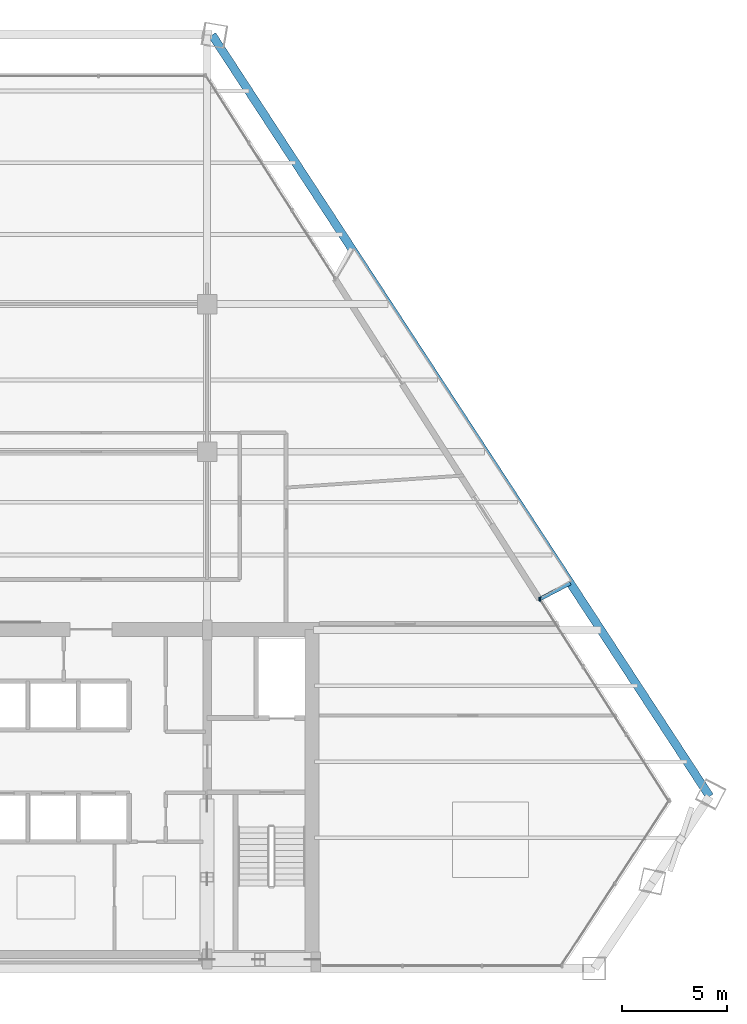
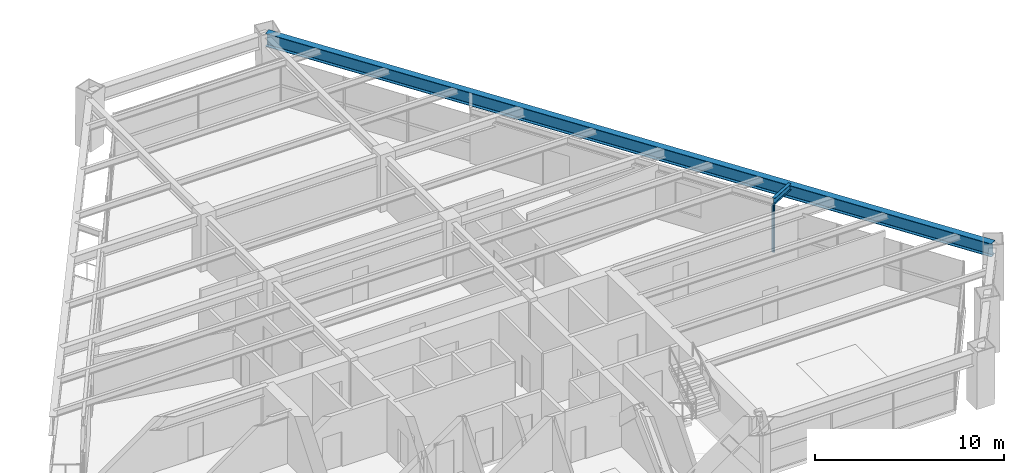
# One storey, part 7 of 14: 2 beams, 2 members, 1 element without a shape of its own.
"""IFC4 building model written with IfcOpenShell, lengths in metres."""

import ifcopenshell
import ifcopenshell.guid

model = None  # the IFC model being written
_history = None  # IfcOwnerHistory: only IFC2X3 demands one
_inside = {}  # id of a spatial element -> (the spatial element, [elements in it])
_under = {}  # id of a project, library or spatial element -> (it, [spatial elements below it])
_declared = {}  # id of a project -> (the project, [libraries it declares])
_typed = {}  # id of a type object -> (the type object, [elements of that type])
_made_of = {}  # id of a material, layer set ... -> (it, [elements and type objects made of it])


def new_model(schema):
    """Start an empty IFC model of exactly this schema.

    Asked for "IFC4X3", IfcOpenShell would pick the latest addendum, in which some entities
    have other attributes; the version numbers below select the first issue.
    IFC2X3 requires an IfcOwnerHistory on every rooted entity: one is made here for all.
    """
    global model, _history
    if schema == "IFC4X3":
        model = ifcopenshell.file(schema_version=(4, 3, 0, 0))
    else:
        model = ifcopenshell.file(schema=schema)
    _inside.clear()
    _under.clear()
    _declared.clear()
    _typed.clear()
    _made_of.clear()
    _history = None
    if model.schema == "IFC2X3":
        org = make("IfcOrganization", Name="unknown")
        user = make(
            "IfcPersonAndOrganization",
            ThePerson=make("IfcPerson", FamilyName="unknown"),
            TheOrganization=org,
        )
        app = make(
            "IfcApplication",
            ApplicationDeveloper=org,
            Version="unknown",
            ApplicationFullName="unknown",
            ApplicationIdentifier="unknown",
        )
        _history = make(
            "IfcOwnerHistory",
            OwningUser=user,
            OwningApplication=app,
            ChangeAction="ADDED",
            CreationDate=0,
        )
    return model


def make(cls, **values):
    """One entity of the class cls with the attributes given. An attribute that is None is left unset."""
    return model.create_entity(
        cls, **{name: value for name, value in values.items() if value is not None}
    )


def rooted(cls, **values):
    """An entity with a GlobalId (a new one), such as an element, a storey or a relation."""
    return make(cls, GlobalId=ifcopenshell.guid.new(), OwnerHistory=_history, **values)


def si_unit(unit_type, name, prefix=None):
    """IfcSIUnit, for example si_unit("LENGTHUNIT", "METRE", prefix="MILLI")."""
    return make("IfcSIUnit", UnitType=unit_type, Prefix=prefix, Name=name)


def assignment(units):
    """IfcUnitAssignment: the units of a project."""
    return None if units is None else make("IfcUnitAssignment", Units=units)


def point(xyz):
    """IfcCartesianPoint."""
    return None if xyz is None else make("IfcCartesianPoint", Coordinates=xyz)


def direction(xyz):
    """IfcDirection."""
    return None if xyz is None else make("IfcDirection", DirectionRatios=xyz)


def frame(location, z_axis=None, x_axis=None):
    """IfcAxis2Placement3D, a coordinate frame: its origin and axes. An axis left out is left unset."""
    return make(
        "IfcAxis2Placement3D",
        Location=point(location),
        Axis=direction(z_axis),
        RefDirection=direction(x_axis),
    )


def frame_2d(location, x_axis=None):
    """IfcAxis2Placement2D, a coordinate frame in the plane: its origin and x axis."""
    return make(
        "IfcAxis2Placement2D", Location=point(location), RefDirection=direction(x_axis)
    )


def origin():
    """The frame at (0, 0, 0) with its axes left unset."""
    return frame((0.0, 0.0, 0.0))


def origin_2d():
    """The frame at (0, 0) in the plane with its x axis left unset."""
    return frame_2d((0.0, 0.0))


def place(relative_to, where):
    """IfcLocalPlacement: puts the frame where relative to a parent placement (None: the world)."""
    return make(
        "IfcLocalPlacement", PlacementRelTo=relative_to, RelativePlacement=where
    )


def context(
    kind, dimensions, precision=None, world=None, true_north=None, identifier=None
):
    """IfcGeometricRepresentationContext, for example the 3D "Model" context."""
    return make(
        "IfcGeometricRepresentationContext",
        ContextIdentifier=identifier,
        ContextType=kind,
        CoordinateSpaceDimension=dimensions,
        Precision=precision,
        WorldCoordinateSystem=world,
        TrueNorth=true_north,
    )


def subcontext(parent, identifier, kind, view, scale=None):
    """IfcGeometricRepresentationSubContext, for example "Body" below "Model"."""
    return make(
        "IfcGeometricRepresentationSubContext",
        ContextIdentifier=identifier,
        ContextType=kind,
        ParentContext=parent,
        TargetScale=scale,
        TargetView=view,
    )


def project(units=None, contexts=None):
    """IfcProject with its units and contexts."""
    return rooted(
        "IfcProject",
        Name="project",
        RepresentationContexts=contexts,
        UnitsInContext=assignment(units),
    )


def spatial(cls, under=None, at=None, **own):
    """A site, building, storey or space (cls), placed at a placement, below another one or the project."""
    s = rooted(cls, ObjectPlacement=at, **own)
    if under is not None:
        _under.setdefault(under.id(), (under, []))[1].append(s)
    return s


def profile(cls, at=None, kind="AREA", **sizes):
    """A parametric profile (cls). Its sizes go by their IFC names, for example OverallWidth=200.0."""
    return make(cls, ProfileType=kind, Position=at, **sizes)


def rectangle(**sizes):
    """IfcRectangleProfileDef."""
    return profile("IfcRectangleProfileDef", **sizes)


def i_section(**sizes):
    """IfcIShapeProfileDef."""
    return profile("IfcIShapeProfileDef", **sizes)


def extrude(swept, where, along, depth):
    """IfcExtrudedAreaSolid: the profile swept, set in the frame where, extruded along a direction by depth."""
    return make(
        "IfcExtrudedAreaSolid",
        SweptArea=swept,
        Position=where,
        ExtrudedDirection=direction(along),
        Depth=depth,
    )


def shape(context_of_items, identifier, shape_type, items):
    """IfcShapeRepresentation: the items that make up one representation, for example the "Body"."""
    return make(
        "IfcShapeRepresentation",
        ContextOfItems=context_of_items,
        RepresentationIdentifier=identifier,
        RepresentationType=shape_type,
        Items=items,
    )


def source(mapping_origin, context_of_items, identifier, shape_type, items):
    """IfcRepresentationMap: a shape defined once, which mapped items show again and again."""
    return make(
        "IfcRepresentationMap",
        MappingOrigin=mapping_origin,
        MappedRepresentation=shape(context_of_items, identifier, shape_type, items),
    )


def transform(
    local_origin,
    x_axis=None,
    y_axis=None,
    z_axis=None,
    scale=None,
    scale2=None,
    scale3=None,
    uniform=True,
):
    """IfcCartesianTransformationOperator3D, or its non-uniform kind. x_axis, y_axis, z_axis: its Axis1, 2, 3."""
    if uniform:
        return make(
            "IfcCartesianTransformationOperator3D",
            Axis1=direction(x_axis),
            Axis2=direction(y_axis),
            LocalOrigin=point(local_origin),
            Scale=scale,
            Axis3=direction(z_axis),
        )
    return make(
        "IfcCartesianTransformationOperator3DnonUniform",
        Axis1=direction(x_axis),
        Axis2=direction(y_axis),
        LocalOrigin=point(local_origin),
        Scale=scale,
        Axis3=direction(z_axis),
        Scale2=scale2,
        Scale3=scale3,
    )


def mapped(mapping_source, mapping_target):
    """IfcMappedItem: shows the shape of a source again, moved by a transform."""
    return make(
        "IfcMappedItem", MappingSource=mapping_source, MappingTarget=mapping_target
    )


def material(Name=None, Category=None):
    """IfcMaterial."""
    return make("IfcMaterial", Name=Name, Category=Category)


def material_profile(
    of_material, cross_section, Name=None, Category=None, Priority=None
):
    """IfcMaterialProfile: a cross section and its material."""
    return make(
        "IfcMaterialProfile",
        Name=Name,
        Material=of_material,
        Profile=cross_section,
        Priority=Priority,
        Category=Category,
    )


def profile_set(profiles, Name=None, composite=None):
    """IfcMaterialProfileSet."""
    return make(
        "IfcMaterialProfileSet",
        Name=Name,
        MaterialProfiles=profiles,
        CompositeProfile=composite,
    )


def made_of(thing, what):
    """Note that an element or type object is made of a material, layer set ...; save() writes the relation."""
    if what is not None:
        _made_of.setdefault(what.id(), (what, []))[1].append(thing)
    return thing


def type_object(cls, material=None, **own):
    """A type object (cls), such as IfcWallType, which elements share."""
    return made_of(rooted(cls, **own), material)


def element(
    cls,
    number,
    at=None,
    inside=None,
    cuts=None,
    type_object=None,
    material=None,
    context=None,
    identifier="Body",
    shape_type=None,
    held_by="IfcProductDefinitionShape",
    body=None,
    shapes=None,
    **own,
):
    """One element of the class cls, such as IfcWall. Its Tag is "e" and its number.

    at: its placement. inside: the storey or other place that contains it. cuts: it is an
    opening in that element (IfcRelVoidsElement). A single representation is given by context,
    identifier, shape_type and body (its items); several are given by shapes. held_by: the class
    of the entity that holds the representations. save() writes the other relations.
    """
    e = rooted(cls, Tag="e%d" % number, ObjectPlacement=at, **own)
    if body is not None:
        shapes = [shape(context, identifier, shape_type, body)]
    if shapes is not None:
        e.Representation = make(held_by, Representations=shapes)
    if inside is not None:
        _inside.setdefault(inside.id(), (inside, []))[1].append(e)
    if cuts is not None:
        rooted(
            "IfcRelVoidsElement", RelatingBuildingElement=cuts, RelatedOpeningElement=e
        )
    if type_object is not None:
        _typed.setdefault(type_object.id(), (type_object, []))[1].append(e)
    return made_of(e, material)


def aggregate(whole, parts):
    """IfcRelAggregates: a whole, such as a stair, and the parts it consists of."""
    return rooted("IfcRelAggregates", RelatingObject=whole, RelatedObjects=parts)


def save(model, path):
    """Write the relations noted so far, then the file.

    IfcRelAggregates (storeys below a building ...), IfcRelContainedInSpatialStructure (elements
    in a storey), IfcRelDefinesByType, IfcRelAssociatesMaterial and IfcRelDeclares: one each for
    every whole, place, type object, material and project.
    """
    for whole, parts in _under.values():
        aggregate(whole, parts)
    for where, things in _inside.values():
        rooted(
            "IfcRelContainedInSpatialStructure",
            RelatedElements=things,
            RelatingStructure=where,
        )
    for kind, things in _typed.values():
        rooted("IfcRelDefinesByType", RelatedObjects=things, RelatingType=kind)
    for what, things in _made_of.values():
        rooted("IfcRelAssociatesMaterial", RelatedObjects=things, RelatingMaterial=what)
    for by, libraries in _declared.values():
        rooted("IfcRelDeclares", RelatingContext=by, RelatedDefinitions=libraries)
    model.write(path)


model = new_model("IFC4")

# Units and contexts
model_context = context("Model", 3, precision=1e-05, world=origin(), true_north=direction((0.0, 1.0)))
body_context = subcontext(model_context, "Body", "Model", "MODEL_VIEW")
ifc_project = project(units=[si_unit("LENGTHUNIT", "METRE"), si_unit("AREAUNIT", "SQUARE_METRE"), si_unit("VOLUMEUNIT", "CUBIC_METRE"), si_unit("PLANEANGLEUNIT", "RADIAN"), si_unit("MASSUNIT", "GRAM", prefix="KILO")], contexts=[model_context])

# Site, building, storey
site_placement = place(None, origin())
site = spatial("IfcSite", under=ifc_project, at=site_placement, CompositionType="ELEMENT")
building_placement = place(site_placement, origin())
building = spatial("IfcBuilding", under=site, at=building_placement, Name="Varnakhor Terracotta Tower", CompositionType="ELEMENT")
storey_placement = place(building_placement, frame((0.0, 0.0, 133.0)))
storey = spatial("IfcBuildingStorey", under=building, at=storey_placement, Name="L33", CompositionType="ELEMENT", Elevation=133.0)

# Beams
ifc_material_1 = material(Name="Steel S355", Category="steel")
ifc_material_profile_1 = material_profile(ifc_material_1, i_section(OverallWidth=0.39990234375, OverallDepth=0.85498046875, WebThickness=0.01806640625, FlangeThickness=0.029052734375, FilletRadius=0.01806640625, at=origin_2d()), Name="W33X201")
ifc_profile_set_1 = profile_set([ifc_material_profile_1], Name="Steel S355")
beam_type_1 = type_object("IfcBeamType", Name="BM-W33X201", PredefinedType="BEAM", material=ifc_profile_set_1)
shared_shape_1 = source(origin(), body_context, "Body", "SweptSolid", [
    extrude(i_section(OverallWidth=0.39990234375, OverallDepth=0.85498046875, WebThickness=0.01806640625, FlangeThickness=0.029052734375, FilletRadius=0.01806640625, at=origin_2d()), origin(), (0.0, 0.0, 1.0), 43.13330078125),
])
beam_1_placement = place(storey_placement, frame((29.330322265625, 8.158935546875, 3.04248046875), z_axis=(-0.547030352369, 0.837112772323, 0.0), x_axis=(-0.837112772323, -0.547030352369, 0.0)))
element("IfcBeam", 1, at=beam_1_placement, inside=storey, type_object=beam_type_1, Name="L33 Perimeter Spandrel 4", PredefinedType="BEAM", context=body_context, shape_type="MappedRepresentation", body=[
    mapped(shared_shape_1, transform((0.0, 0.0, 0.0), scale=1.0)),
])
ifc_material_profile_2 = material_profile(ifc_material_1, i_section(OverallWidth=0.179931640625, OverallDepth=0.39990234375, WebThickness=0.008544921875, FlangeThickness=0.013427734375, FilletRadius=0.01806640625, at=origin_2d()), Name="IPE400")
ifc_profile_set_2 = profile_set([ifc_material_profile_2], Name="Steel S355")
beam_type_2 = type_object("IfcBeamType", Name="JST-IPE400", PredefinedType="JOIST", material=ifc_profile_set_2)
shared_shape_2 = source(origin(), body_context, "Body", "SweptSolid", [
    extrude(i_section(OverallWidth=0.179931640625, OverallDepth=0.39990234375, WebThickness=0.008544921875, FlangeThickness=0.013427734375, FilletRadius=0.01806640625, at=origin_2d()), origin(), (0.0, 0.0, 1.0), 1.61767578125),
])
beam_2_placement = place(storey_placement, frame((21.289794921875, 17.520263671875, 3.27001953125), z_axis=(0.886409856872, 0.462901248259, 0.0), x_axis=(-0.462901248259, 0.886409856872, 0.0)))
element("IfcBeam", 2, at=beam_2_placement, inside=storey, type_object=beam_type_2, Name="L34 E Loggia Tie Beam 2", PredefinedType="JOIST", context=body_context, shape_type="MappedRepresentation", body=[
    mapped(shared_shape_2, transform((0.0, 0.0, 0.0), scale=1.0)),
])

# Curtain wall, members
ifc_material_2 = material(Name="Anodised Aluminium Curtain Wall System", Category="aluminium")
curtain_wall_type = type_object("IfcCurtainWallType", Name="CW-SYS-MID-OFFICE", PredefinedType="NOTDEFINED", material=ifc_material_2)
curtain_wall_placement = place(storey_placement, origin())
curtain_wall = element("IfcCurtainWall", 3, at=curtain_wall_placement, inside=storey, type_object=curtain_wall_type, Name="L33 E Facet Curtain Wall 2", PredefinedType="NOTDEFINED")
ifc_material_3 = material(Name="Anodised Aluminium 6063-T6", Category="aluminium")
ifc_material_profile_3 = material_profile(ifc_material_3, rectangle(XDim=0.070068359375, YDim=0.175048828125, at=origin_2d()), Name="ALU MULLION 70x175")
ifc_profile_set_3 = profile_set([ifc_material_profile_3], Name="Anodised Aluminium 6063-T6")
member_type = type_object("IfcMemberType", Name="CWM-03", PredefinedType="MULLION", material=ifc_profile_set_3)
shared_shape_3 = source(origin(), body_context, "Body", "SweptSolid", [
    extrude(rectangle(XDim=0.070068359375, YDim=0.175048828125, at=origin_2d()), origin(), (0.0, 0.0, 1.0), 3.050048828125),
])
member_1_placement = place(storey_placement, frame((21.285888671875, 17.50439453125, 0.0), z_axis=(0.0, 0.0, 1.0), x_axis=(1.0, 0.0, 0.0)))
member_1 = element("IfcMember", 4, at=member_1_placement, type_object=member_type, Name="L33 E Facet Curtain Wall 2 Mullion 1", PredefinedType="MULLION", context=body_context, shape_type="MappedRepresentation", body=[
    mapped(shared_shape_3, transform((0.0, 0.0, 0.0), scale=1.0)),
])
member_2_placement = place(storey_placement, frame((21.2529296875, 17.51904296875, 0.0), z_axis=(0.0, 0.0, 1.0), x_axis=(1.0, 0.0, 0.0)))
member_2 = element("IfcMember", 5, at=member_2_placement, type_object=member_type, Name="L33 E Loggia Jamb Closure Mullion 2", PredefinedType="MULLION", context=body_context, shape_type="MappedRepresentation", body=[
    mapped(shared_shape_3, transform((0.0, 0.0, 0.0), scale=1.0)),
])
aggregate(curtain_wall, [member_1, member_2])

save(model, "model.ifc")
